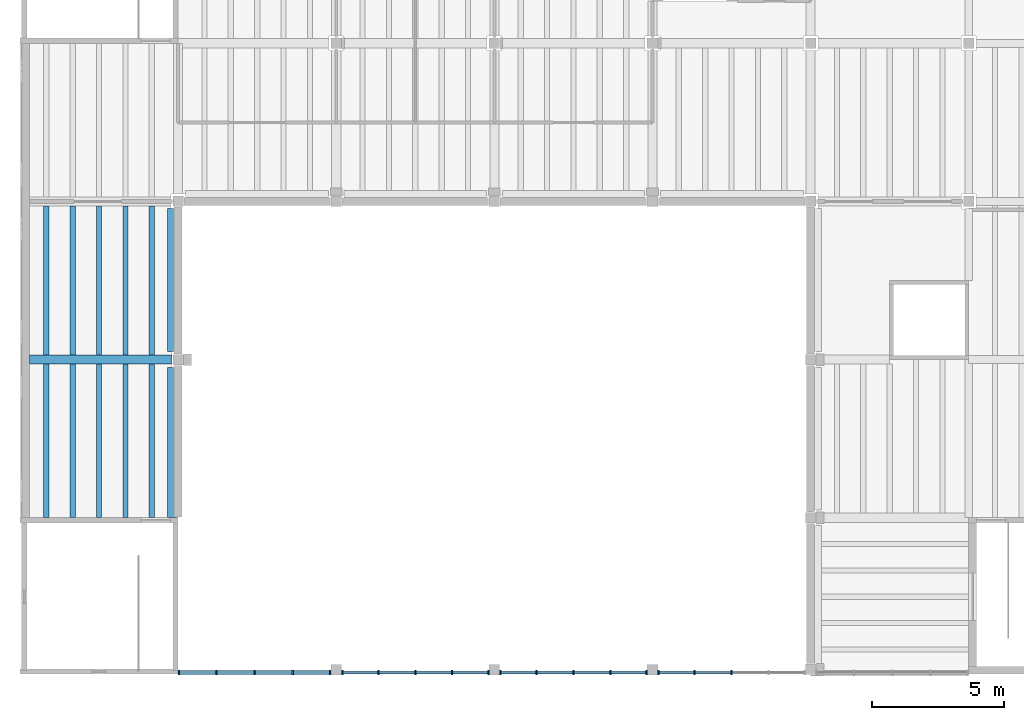
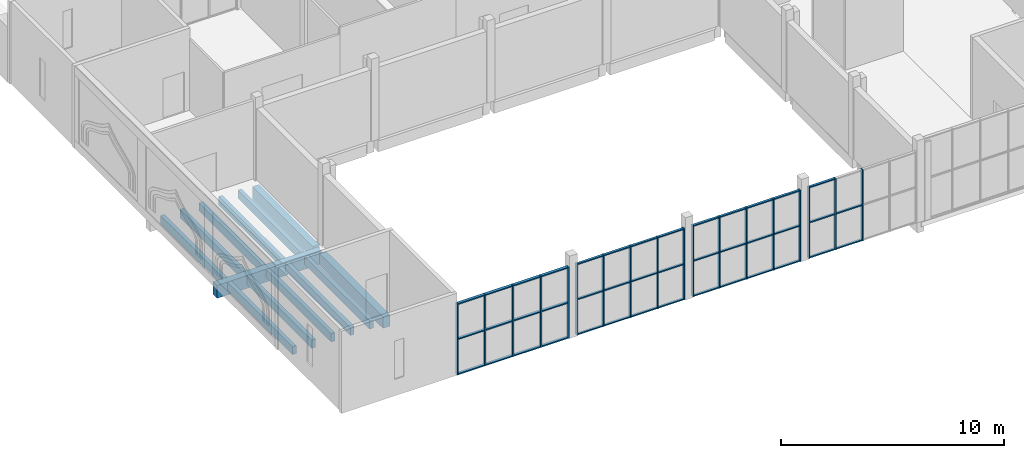
# One storey, part 2 of 70: 59 members, 13 beams, 4 elements without a shape of their own.
"""IFC4 building model written with IfcOpenShell, lengths in metres."""

from ifc_helpers import new_model, si_unit, direction, frame, origin, origin_2d, place, context, subcontext, project, spatial, rectangle, extrude, material, material_profile, profile_set, type_object, element, aggregate, save


model = new_model("IFC4")

# Units and contexts
model_context = context("Model", 3, precision=1e-05, world=origin(), true_north=direction((0.0, 1.0)))
body_context = subcontext(model_context, "Body", "Model", "MODEL_VIEW")
ifc_project = project(units=[si_unit("LENGTHUNIT", "METRE"), si_unit("AREAUNIT", "SQUARE_METRE"), si_unit("VOLUMEUNIT", "CUBIC_METRE"), si_unit("PLANEANGLEUNIT", "RADIAN"), si_unit("MASSUNIT", "GRAM", prefix="KILO")], contexts=[model_context])

# Site, building, storey
site_placement = place(None, origin())
site = spatial("IfcSite", under=ifc_project, at=site_placement, CompositionType="ELEMENT")
building_placement = place(site_placement, origin())
building = spatial("IfcBuilding", under=site, at=building_placement, Name="Saffron Lane Theatres", CompositionType="ELEMENT")
storey_placement = place(building_placement, frame((0.0, 0.0, 12.0)))
storey = spatial("IfcBuildingStorey", under=building, at=storey_placement, Name="L02", CompositionType="ELEMENT", Elevation=12.0)

# Curtain wall, members
ifc_material_1 = material(Name="Aluminium", Category="aluminium")
curtain_wall_type_1 = type_object("IfcCurtainWallType", Name="EX-CURTAIN WALL 5600x3900x160", PredefinedType="NOTDEFINED", material=ifc_material_1)
curtain_wall_1_placement = place(storey_placement, origin())
curtain_wall_1 = element("IfcCurtainWall", 1, at=curtain_wall_1_placement, inside=storey, type_object=curtain_wall_type_1, Name="Curtain wall L02 10", PredefinedType="NOTDEFINED")
ifc_material_2 = material(Name="Aluminium", Category="aluminium")
ifc_material_profile_1 = material_profile(ifc_material_2, rectangle(XDim=0.06005859375, YDim=0.159912109375, at=origin_2d()))
ifc_profile_set_1 = profile_set([ifc_material_profile_1], Name="Aluminium")
member_type_1 = type_object("IfcMemberType", Name="EX-CW MULLION 60x160", PredefinedType="MULLION", material=ifc_profile_set_1)
member_1_placement = place(storey_placement, frame((27.0, 0.1298828125, 0.0), z_axis=(0.0, 0.0, 1.0), x_axis=(-1.0, 0.0, 0.0)))
member_1 = element("IfcMember", 2, at=member_1_placement, type_object=member_type_1, Name="CW-02-10 mullion 3", PredefinedType="MULLION", context=body_context, shape_type="SweptSolid", body=[
    extrude(rectangle(XDim=0.06005859375, YDim=0.159912109375, at=origin_2d()), origin(), (0.0, 0.0, 1.0), 3.89990234375),
])
member_2_placement = place(storey_placement, frame((25.60009765625, 0.1298828125, 0.0), z_axis=(0.0, 0.0, 1.0), x_axis=(-1.0, 0.0, 0.0)))
member_2 = element("IfcMember", 3, at=member_2_placement, type_object=member_type_1, Name="CW-02-10 mullion 4", PredefinedType="MULLION", context=body_context, shape_type="SweptSolid", body=[
    extrude(rectangle(XDim=0.06005859375, YDim=0.159912109375, at=origin_2d()), origin(), (0.0, 0.0, 1.0), 3.89990234375),
])
member_3_placement = place(storey_placement, frame((24.22998046875, 0.1298828125, 0.0), z_axis=(0.0, 0.0, 1.0), x_axis=(-1.0, 0.0, 0.0)))
member_3 = element("IfcMember", 4, at=member_3_placement, type_object=member_type_1, Name="CW-02-10 mullion 5", PredefinedType="MULLION", context=body_context, shape_type="SweptSolid", body=[
    extrude(rectangle(XDim=0.06005859375, YDim=0.159912109375, at=origin_2d()), origin(), (0.0, 0.0, 1.0), 3.89990234375),
])

curtain_wall_2_placement = place(storey_placement, origin())
curtain_wall_2 = element("IfcCurtainWall", 5, at=curtain_wall_2_placement, inside=storey, type_object=curtain_wall_type_1, Name="Curtain wall L02 11", PredefinedType="NOTDEFINED")
member_4_placement = place(storey_placement, frame((23.77001953125, 0.1298828125, 0.0), z_axis=(0.0, 0.0, 1.0), x_axis=(-1.0, 0.0, 0.0)))
member_4 = element("IfcMember", 6, at=member_4_placement, type_object=member_type_1, Name="CW-02-11 mullion 1", PredefinedType="MULLION", context=body_context, shape_type="SweptSolid", body=[
    extrude(rectangle(XDim=0.06005859375, YDim=0.159912109375, at=origin_2d()), origin(), (0.0, 0.0, 1.0), 3.89990234375),
])
member_5_placement = place(storey_placement, frame((22.39990234375, 0.1298828125, 0.0), z_axis=(0.0, 0.0, 1.0), x_axis=(-1.0, 0.0, 0.0)))
member_5 = element("IfcMember", 7, at=member_5_placement, type_object=member_type_1, Name="CW-02-11 mullion 2", PredefinedType="MULLION", context=body_context, shape_type="SweptSolid", body=[
    extrude(rectangle(XDim=0.06005859375, YDim=0.159912109375, at=origin_2d()), origin(), (0.0, 0.0, 1.0), 3.89990234375),
])
member_6_placement = place(storey_placement, frame((21.0, 0.1298828125, 0.0), z_axis=(0.0, 0.0, 1.0), x_axis=(-1.0, 0.0, 0.0)))
member_6 = element("IfcMember", 8, at=member_6_placement, type_object=member_type_1, Name="CW-02-11 mullion 3", PredefinedType="MULLION", context=body_context, shape_type="SweptSolid", body=[
    extrude(rectangle(XDim=0.06005859375, YDim=0.159912109375, at=origin_2d()), origin(), (0.0, 0.0, 1.0), 3.89990234375),
])
member_7_placement = place(storey_placement, frame((19.60009765625, 0.1298828125, 0.0), z_axis=(0.0, 0.0, 1.0), x_axis=(-1.0, 0.0, 0.0)))
member_7 = element("IfcMember", 9, at=member_7_placement, type_object=member_type_1, Name="CW-02-11 mullion 4", PredefinedType="MULLION", context=body_context, shape_type="SweptSolid", body=[
    extrude(rectangle(XDim=0.06005859375, YDim=0.159912109375, at=origin_2d()), origin(), (0.0, 0.0, 1.0), 3.89990234375),
])
member_8_placement = place(storey_placement, frame((18.22998046875, 0.1298828125, 0.0), z_axis=(0.0, 0.0, 1.0), x_axis=(-1.0, 0.0, 0.0)))
member_8 = element("IfcMember", 10, at=member_8_placement, type_object=member_type_1, Name="CW-02-11 mullion 5", PredefinedType="MULLION", context=body_context, shape_type="SweptSolid", body=[
    extrude(rectangle(XDim=0.06005859375, YDim=0.159912109375, at=origin_2d()), origin(), (0.0, 0.0, 1.0), 3.89990234375),
])

curtain_wall_3_placement = place(storey_placement, origin())
curtain_wall_3 = element("IfcCurtainWall", 11, at=curtain_wall_3_placement, inside=storey, type_object=curtain_wall_type_1, Name="Curtain wall L02 12", PredefinedType="NOTDEFINED")
member_9_placement = place(storey_placement, frame((17.77001953125, 0.1298828125, 0.0), z_axis=(0.0, 0.0, 1.0), x_axis=(-1.0, 0.0, 0.0)))
member_9 = element("IfcMember", 12, at=member_9_placement, type_object=member_type_1, Name="CW-02-12 mullion 1", PredefinedType="MULLION", context=body_context, shape_type="SweptSolid", body=[
    extrude(rectangle(XDim=0.06005859375, YDim=0.159912109375, at=origin_2d()), origin(), (0.0, 0.0, 1.0), 3.89990234375),
])
member_10_placement = place(storey_placement, frame((16.39990234375, 0.1298828125, 0.0), z_axis=(0.0, 0.0, 1.0), x_axis=(-1.0, 0.0, 0.0)))
member_10 = element("IfcMember", 13, at=member_10_placement, type_object=member_type_1, Name="CW-02-12 mullion 2", PredefinedType="MULLION", context=body_context, shape_type="SweptSolid", body=[
    extrude(rectangle(XDim=0.06005859375, YDim=0.159912109375, at=origin_2d()), origin(), (0.0, 0.0, 1.0), 3.89990234375),
])
member_11_placement = place(storey_placement, frame((15.0, 0.1298828125, 0.0), z_axis=(0.0, 0.0, 1.0), x_axis=(-1.0, 0.0, 0.0)))
member_11 = element("IfcMember", 14, at=member_11_placement, type_object=member_type_1, Name="CW-02-12 mullion 3", PredefinedType="MULLION", context=body_context, shape_type="SweptSolid", body=[
    extrude(rectangle(XDim=0.06005859375, YDim=0.159912109375, at=origin_2d()), origin(), (0.0, 0.0, 1.0), 3.89990234375),
])
member_12_placement = place(storey_placement, frame((13.60009765625, 0.1298828125, 0.0), z_axis=(0.0, 0.0, 1.0), x_axis=(-1.0, 0.0, 0.0)))
member_12 = element("IfcMember", 15, at=member_12_placement, type_object=member_type_1, Name="CW-02-12 mullion 4", PredefinedType="MULLION", context=body_context, shape_type="SweptSolid", body=[
    extrude(rectangle(XDim=0.06005859375, YDim=0.159912109375, at=origin_2d()), origin(), (0.0, 0.0, 1.0), 3.89990234375),
])
member_13_placement = place(storey_placement, frame((12.22998046875, 0.1298828125, 0.0), z_axis=(0.0, 0.0, 1.0), x_axis=(-1.0, 0.0, 0.0)))
member_13 = element("IfcMember", 16, at=member_13_placement, type_object=member_type_1, Name="CW-02-12 mullion 5", PredefinedType="MULLION", context=body_context, shape_type="SweptSolid", body=[
    extrude(rectangle(XDim=0.06005859375, YDim=0.159912109375, at=origin_2d()), origin(), (0.0, 0.0, 1.0), 3.89990234375),
])

ifc_material_3 = material(Name="Aluminium", Category="aluminium")
curtain_wall_type_2 = type_object("IfcCurtainWallType", Name="EX-CURTAIN WALL 5800x3900x160", PredefinedType="NOTDEFINED", material=ifc_material_3)
curtain_wall_4_placement = place(storey_placement, origin())
curtain_wall_4 = element("IfcCurtainWall", 17, at=curtain_wall_4_placement, inside=storey, type_object=curtain_wall_type_2, Name="Curtain wall L02 13", PredefinedType="NOTDEFINED")
member_14_placement = place(storey_placement, frame((11.77001953125, 0.1298828125, 0.0), z_axis=(0.0, 0.0, 1.0), x_axis=(-1.0, 0.0, 0.0)))
member_14 = element("IfcMember", 18, at=member_14_placement, type_object=member_type_1, Name="CW-02-13 mullion 1", PredefinedType="MULLION", context=body_context, shape_type="SweptSolid", body=[
    extrude(rectangle(XDim=0.06005859375, YDim=0.159912109375, at=origin_2d()), origin(), (0.0, 0.0, 1.0), 3.89990234375),
])
member_15_placement = place(storey_placement, frame((10.35009765625, 0.1298828125, 0.0), z_axis=(0.0, 0.0, 1.0), x_axis=(-1.0, 0.0, 0.0)))
member_15 = element("IfcMember", 19, at=member_15_placement, type_object=member_type_1, Name="CW-02-13 mullion 2", PredefinedType="MULLION", context=body_context, shape_type="SweptSolid", body=[
    extrude(rectangle(XDim=0.06005859375, YDim=0.159912109375, at=origin_2d()), origin(), (0.0, 0.0, 1.0), 3.89990234375),
])
member_16_placement = place(storey_placement, frame((8.89990234375, 0.1298828125, 0.0), z_axis=(0.0, 0.0, 1.0), x_axis=(-1.0, 0.0, 0.0)))
member_16 = element("IfcMember", 20, at=member_16_placement, type_object=member_type_1, Name="CW-02-13 mullion 3", PredefinedType="MULLION", context=body_context, shape_type="SweptSolid", body=[
    extrude(rectangle(XDim=0.06005859375, YDim=0.159912109375, at=origin_2d()), origin(), (0.0, 0.0, 1.0), 3.89990234375),
])
member_17_placement = place(storey_placement, frame((7.449951171875, 0.1298828125, 0.0), z_axis=(0.0, 0.0, 1.0), x_axis=(-1.0, 0.0, 0.0)))
member_17 = element("IfcMember", 21, at=member_17_placement, type_object=member_type_1, Name="CW-02-13 mullion 4", PredefinedType="MULLION", context=body_context, shape_type="SweptSolid", body=[
    extrude(rectangle(XDim=0.06005859375, YDim=0.159912109375, at=origin_2d()), origin(), (0.0, 0.0, 1.0), 3.89990234375),
])
member_18_placement = place(storey_placement, frame((6.030029296875, 0.1298828125, 0.0), z_axis=(0.0, 0.0, 1.0), x_axis=(-1.0, 0.0, 0.0)))
member_18 = element("IfcMember", 22, at=member_18_placement, type_object=member_type_1, Name="CW-02-13 mullion 5", PredefinedType="MULLION", context=body_context, shape_type="SweptSolid", body=[
    extrude(rectangle(XDim=0.06005859375, YDim=0.159912109375, at=origin_2d()), origin(), (0.0, 0.0, 1.0), 3.89990234375),
])

# Member
ifc_material_4 = material(Name="Aluminium", Category="aluminium")
ifc_material_profile_2 = material_profile(ifc_material_4, rectangle(XDim=0.1201171875, YDim=0.06005859375, at=origin_2d()))
ifc_profile_set_2 = profile_set([ifc_material_profile_2], Name="Aluminium")
member_type_2 = type_object("IfcMemberType", Name="EX-CW TRANSOM 120x60", PredefinedType="USERDEFINED", material=ifc_profile_set_2)
member_19_placement = place(storey_placement, frame((26.969970703125, 0.1298828125, 0.030029296875), z_axis=(-1.0, 0.0, 0.0), x_axis=(0.0, -1.0, 0.0)))
member_19 = element("IfcMember", 23, at=member_19_placement, type_object=member_type_2, Name="CW-02-10 transom 3.1", ObjectType="TRANSOM", PredefinedType="USERDEFINED", context=body_context, shape_type="SweptSolid", body=[
    extrude(rectangle(XDim=0.1201171875, YDim=0.06005859375, at=origin_2d()), origin(), (0.0, 0.0, 1.0), 1.340087890625),
])

member_20_placement = place(storey_placement, frame((26.969970703125, 0.1298828125, 1.949951171875), z_axis=(-1.0, 0.0, 0.0), x_axis=(0.0, -1.0, 0.0)))
member_20 = element("IfcMember", 24, at=member_20_placement, type_object=member_type_2, Name="CW-02-10 transom 3.2", ObjectType="TRANSOM", PredefinedType="USERDEFINED", context=body_context, shape_type="SweptSolid", body=[
    extrude(rectangle(XDim=0.1201171875, YDim=0.06005859375, at=origin_2d()), origin(), (0.0, 0.0, 1.0), 1.340087890625),
])

member_21_placement = place(storey_placement, frame((25.570068359375, 0.1298828125, 0.030029296875), z_axis=(-1.0, 0.0, 0.0), x_axis=(0.0, -1.0, 0.0)))
member_21 = element("IfcMember", 25, at=member_21_placement, type_object=member_type_2, Name="CW-02-10 transom 4.1", ObjectType="TRANSOM", PredefinedType="USERDEFINED", context=body_context, shape_type="SweptSolid", body=[
    extrude(rectangle(XDim=0.1201171875, YDim=0.06005859375, at=origin_2d()), origin(), (0.0, 0.0, 1.0), 1.31005859375),
])

member_22_placement = place(storey_placement, frame((25.570068359375, 0.1298828125, 1.949951171875), z_axis=(-1.0, 0.0, 0.0), x_axis=(0.0, -1.0, 0.0)))
member_22 = element("IfcMember", 26, at=member_22_placement, type_object=member_type_2, Name="CW-02-10 transom 4.2", ObjectType="TRANSOM", PredefinedType="USERDEFINED", context=body_context, shape_type="SweptSolid", body=[
    extrude(rectangle(XDim=0.1201171875, YDim=0.06005859375, at=origin_2d()), origin(), (0.0, 0.0, 1.0), 1.31005859375),
])

member_23_placement = place(storey_placement, frame((25.570068359375, 0.1298828125, 3.869873046875), z_axis=(-1.0, 0.0, 0.0), x_axis=(0.0, -1.0, 0.0)))
member_23 = element("IfcMember", 27, at=member_23_placement, type_object=member_type_2, Name="CW-02-10 transom 4.3", ObjectType="TRANSOM", PredefinedType="USERDEFINED", context=body_context, shape_type="SweptSolid", body=[
    extrude(rectangle(XDim=0.1201171875, YDim=0.06005859375, at=origin_2d()), origin(), (0.0, 0.0, 1.0), 1.31005859375),
])

aggregate(curtain_wall_1, [member_1, member_2, member_3, member_19, member_20, member_21, member_22, member_23])

member_24_placement = place(storey_placement, frame((23.739990234375, 0.1298828125, 0.030029296875), z_axis=(-1.0, 0.0, 0.0), x_axis=(0.0, -1.0, 0.0)))
member_24 = element("IfcMember", 28, at=member_24_placement, type_object=member_type_2, Name="CW-02-11 transom 1.1", ObjectType="TRANSOM", PredefinedType="USERDEFINED", context=body_context, shape_type="SweptSolid", body=[
    extrude(rectangle(XDim=0.1201171875, YDim=0.06005859375, at=origin_2d()), origin(), (0.0, 0.0, 1.0), 1.31005859375),
])

member_25_placement = place(storey_placement, frame((23.739990234375, 0.1298828125, 1.949951171875), z_axis=(-1.0, 0.0, 0.0), x_axis=(0.0, -1.0, 0.0)))
member_25 = element("IfcMember", 29, at=member_25_placement, type_object=member_type_2, Name="CW-02-11 transom 1.2", ObjectType="TRANSOM", PredefinedType="USERDEFINED", context=body_context, shape_type="SweptSolid", body=[
    extrude(rectangle(XDim=0.1201171875, YDim=0.06005859375, at=origin_2d()), origin(), (0.0, 0.0, 1.0), 1.31005859375),
])

member_26_placement = place(storey_placement, frame((23.739990234375, 0.1298828125, 3.869873046875), z_axis=(-1.0, 0.0, 0.0), x_axis=(0.0, -1.0, 0.0)))
member_26 = element("IfcMember", 30, at=member_26_placement, type_object=member_type_2, Name="CW-02-11 transom 1.3", ObjectType="TRANSOM", PredefinedType="USERDEFINED", context=body_context, shape_type="SweptSolid", body=[
    extrude(rectangle(XDim=0.1201171875, YDim=0.06005859375, at=origin_2d()), origin(), (0.0, 0.0, 1.0), 1.31005859375),
])

member_27_placement = place(storey_placement, frame((22.3701171875, 0.1298828125, 0.030029296875), z_axis=(-1.0, 0.0, 0.0), x_axis=(0.0, -1.0, 0.0)))
member_27 = element("IfcMember", 31, at=member_27_placement, type_object=member_type_2, Name="CW-02-11 transom 2.1", ObjectType="TRANSOM", PredefinedType="USERDEFINED", context=body_context, shape_type="SweptSolid", body=[
    extrude(rectangle(XDim=0.1201171875, YDim=0.06005859375, at=origin_2d()), origin(), (0.0, 0.0, 1.0), 1.340087890625),
])

member_28_placement = place(storey_placement, frame((22.3701171875, 0.1298828125, 1.949951171875), z_axis=(-1.0, 0.0, 0.0), x_axis=(0.0, -1.0, 0.0)))
member_28 = element("IfcMember", 32, at=member_28_placement, type_object=member_type_2, Name="CW-02-11 transom 2.2", ObjectType="TRANSOM", PredefinedType="USERDEFINED", context=body_context, shape_type="SweptSolid", body=[
    extrude(rectangle(XDim=0.1201171875, YDim=0.06005859375, at=origin_2d()), origin(), (0.0, 0.0, 1.0), 1.340087890625),
])

member_29_placement = place(storey_placement, frame((22.3701171875, 0.1298828125, 3.869873046875), z_axis=(-1.0, 0.0, 0.0), x_axis=(0.0, -1.0, 0.0)))
member_29 = element("IfcMember", 33, at=member_29_placement, type_object=member_type_2, Name="CW-02-11 transom 2.3", ObjectType="TRANSOM", PredefinedType="USERDEFINED", context=body_context, shape_type="SweptSolid", body=[
    extrude(rectangle(XDim=0.1201171875, YDim=0.06005859375, at=origin_2d()), origin(), (0.0, 0.0, 1.0), 1.340087890625),
])

member_30_placement = place(storey_placement, frame((20.969970703125, 0.1298828125, 0.030029296875), z_axis=(-1.0, 0.0, 0.0), x_axis=(0.0, -1.0, 0.0)))
member_30 = element("IfcMember", 34, at=member_30_placement, type_object=member_type_2, Name="CW-02-11 transom 3.1", ObjectType="TRANSOM", PredefinedType="USERDEFINED", context=body_context, shape_type="SweptSolid", body=[
    extrude(rectangle(XDim=0.1201171875, YDim=0.06005859375, at=origin_2d()), origin(), (0.0, 0.0, 1.0), 1.340087890625),
])

member_31_placement = place(storey_placement, frame((20.969970703125, 0.1298828125, 1.949951171875), z_axis=(-1.0, 0.0, 0.0), x_axis=(0.0, -1.0, 0.0)))
member_31 = element("IfcMember", 35, at=member_31_placement, type_object=member_type_2, Name="CW-02-11 transom 3.2", ObjectType="TRANSOM", PredefinedType="USERDEFINED", context=body_context, shape_type="SweptSolid", body=[
    extrude(rectangle(XDim=0.1201171875, YDim=0.06005859375, at=origin_2d()), origin(), (0.0, 0.0, 1.0), 1.340087890625),
])

member_32_placement = place(storey_placement, frame((20.969970703125, 0.1298828125, 3.869873046875), z_axis=(-1.0, 0.0, 0.0), x_axis=(0.0, -1.0, 0.0)))
member_32 = element("IfcMember", 36, at=member_32_placement, type_object=member_type_2, Name="CW-02-11 transom 3.3", ObjectType="TRANSOM", PredefinedType="USERDEFINED", context=body_context, shape_type="SweptSolid", body=[
    extrude(rectangle(XDim=0.1201171875, YDim=0.06005859375, at=origin_2d()), origin(), (0.0, 0.0, 1.0), 1.340087890625),
])

member_33_placement = place(storey_placement, frame((19.570068359375, 0.1298828125, 0.030029296875), z_axis=(-1.0, 0.0, 0.0), x_axis=(0.0, -1.0, 0.0)))
member_33 = element("IfcMember", 37, at=member_33_placement, type_object=member_type_2, Name="CW-02-11 transom 4.1", ObjectType="TRANSOM", PredefinedType="USERDEFINED", context=body_context, shape_type="SweptSolid", body=[
    extrude(rectangle(XDim=0.1201171875, YDim=0.06005859375, at=origin_2d()), origin(), (0.0, 0.0, 1.0), 1.31005859375),
])

member_34_placement = place(storey_placement, frame((19.570068359375, 0.1298828125, 1.949951171875), z_axis=(-1.0, 0.0, 0.0), x_axis=(0.0, -1.0, 0.0)))
member_34 = element("IfcMember", 38, at=member_34_placement, type_object=member_type_2, Name="CW-02-11 transom 4.2", ObjectType="TRANSOM", PredefinedType="USERDEFINED", context=body_context, shape_type="SweptSolid", body=[
    extrude(rectangle(XDim=0.1201171875, YDim=0.06005859375, at=origin_2d()), origin(), (0.0, 0.0, 1.0), 1.31005859375),
])

member_35_placement = place(storey_placement, frame((19.570068359375, 0.1298828125, 3.869873046875), z_axis=(-1.0, 0.0, 0.0), x_axis=(0.0, -1.0, 0.0)))
member_35 = element("IfcMember", 39, at=member_35_placement, type_object=member_type_2, Name="CW-02-11 transom 4.3", ObjectType="TRANSOM", PredefinedType="USERDEFINED", context=body_context, shape_type="SweptSolid", body=[
    extrude(rectangle(XDim=0.1201171875, YDim=0.06005859375, at=origin_2d()), origin(), (0.0, 0.0, 1.0), 1.31005859375),
])

aggregate(curtain_wall_2, [member_4, member_5, member_6, member_7, member_8, member_24, member_25, member_26, member_27, member_28, member_29, member_30, member_31, member_32, member_33, member_34, member_35])

member_36_placement = place(storey_placement, frame((17.739990234375, 0.1298828125, 0.030029296875), z_axis=(-1.0, 0.0, 0.0), x_axis=(0.0, -1.0, 0.0)))
member_36 = element("IfcMember", 40, at=member_36_placement, type_object=member_type_2, Name="CW-02-12 transom 1.1", ObjectType="TRANSOM", PredefinedType="USERDEFINED", context=body_context, shape_type="SweptSolid", body=[
    extrude(rectangle(XDim=0.1201171875, YDim=0.06005859375, at=origin_2d()), origin(), (0.0, 0.0, 1.0), 1.31005859375),
])

member_37_placement = place(storey_placement, frame((17.739990234375, 0.1298828125, 1.949951171875), z_axis=(-1.0, 0.0, 0.0), x_axis=(0.0, -1.0, 0.0)))
member_37 = element("IfcMember", 41, at=member_37_placement, type_object=member_type_2, Name="CW-02-12 transom 1.2", ObjectType="TRANSOM", PredefinedType="USERDEFINED", context=body_context, shape_type="SweptSolid", body=[
    extrude(rectangle(XDim=0.1201171875, YDim=0.06005859375, at=origin_2d()), origin(), (0.0, 0.0, 1.0), 1.31005859375),
])

member_38_placement = place(storey_placement, frame((17.739990234375, 0.1298828125, 3.869873046875), z_axis=(-1.0, 0.0, 0.0), x_axis=(0.0, -1.0, 0.0)))
member_38 = element("IfcMember", 42, at=member_38_placement, type_object=member_type_2, Name="CW-02-12 transom 1.3", ObjectType="TRANSOM", PredefinedType="USERDEFINED", context=body_context, shape_type="SweptSolid", body=[
    extrude(rectangle(XDim=0.1201171875, YDim=0.06005859375, at=origin_2d()), origin(), (0.0, 0.0, 1.0), 1.31005859375),
])

member_39_placement = place(storey_placement, frame((16.3701171875, 0.1298828125, 0.030029296875), z_axis=(-1.0, 0.0, 0.0), x_axis=(0.0, -1.0, 0.0)))
member_39 = element("IfcMember", 43, at=member_39_placement, type_object=member_type_2, Name="CW-02-12 transom 2.1", ObjectType="TRANSOM", PredefinedType="USERDEFINED", context=body_context, shape_type="SweptSolid", body=[
    extrude(rectangle(XDim=0.1201171875, YDim=0.06005859375, at=origin_2d()), origin(), (0.0, 0.0, 1.0), 1.340087890625),
])

member_40_placement = place(storey_placement, frame((16.3701171875, 0.1298828125, 1.949951171875), z_axis=(-1.0, 0.0, 0.0), x_axis=(0.0, -1.0, 0.0)))
member_40 = element("IfcMember", 44, at=member_40_placement, type_object=member_type_2, Name="CW-02-12 transom 2.2", ObjectType="TRANSOM", PredefinedType="USERDEFINED", context=body_context, shape_type="SweptSolid", body=[
    extrude(rectangle(XDim=0.1201171875, YDim=0.06005859375, at=origin_2d()), origin(), (0.0, 0.0, 1.0), 1.340087890625),
])

member_41_placement = place(storey_placement, frame((16.3701171875, 0.1298828125, 3.869873046875), z_axis=(-1.0, 0.0, 0.0), x_axis=(0.0, -1.0, 0.0)))
member_41 = element("IfcMember", 45, at=member_41_placement, type_object=member_type_2, Name="CW-02-12 transom 2.3", ObjectType="TRANSOM", PredefinedType="USERDEFINED", context=body_context, shape_type="SweptSolid", body=[
    extrude(rectangle(XDim=0.1201171875, YDim=0.06005859375, at=origin_2d()), origin(), (0.0, 0.0, 1.0), 1.340087890625),
])

member_42_placement = place(storey_placement, frame((14.969970703125, 0.1298828125, 0.030029296875), z_axis=(-1.0, 0.0, 0.0), x_axis=(0.0, -1.0, 0.0)))
member_42 = element("IfcMember", 46, at=member_42_placement, type_object=member_type_2, Name="CW-02-12 transom 3.1", ObjectType="TRANSOM", PredefinedType="USERDEFINED", context=body_context, shape_type="SweptSolid", body=[
    extrude(rectangle(XDim=0.1201171875, YDim=0.06005859375, at=origin_2d()), origin(), (0.0, 0.0, 1.0), 1.340087890625),
])

member_43_placement = place(storey_placement, frame((14.969970703125, 0.1298828125, 1.949951171875), z_axis=(-1.0, 0.0, 0.0), x_axis=(0.0, -1.0, 0.0)))
member_43 = element("IfcMember", 47, at=member_43_placement, type_object=member_type_2, Name="CW-02-12 transom 3.2", ObjectType="TRANSOM", PredefinedType="USERDEFINED", context=body_context, shape_type="SweptSolid", body=[
    extrude(rectangle(XDim=0.1201171875, YDim=0.06005859375, at=origin_2d()), origin(), (0.0, 0.0, 1.0), 1.340087890625),
])

member_44_placement = place(storey_placement, frame((14.969970703125, 0.1298828125, 3.869873046875), z_axis=(-1.0, 0.0, 0.0), x_axis=(0.0, -1.0, 0.0)))
member_44 = element("IfcMember", 48, at=member_44_placement, type_object=member_type_2, Name="CW-02-12 transom 3.3", ObjectType="TRANSOM", PredefinedType="USERDEFINED", context=body_context, shape_type="SweptSolid", body=[
    extrude(rectangle(XDim=0.1201171875, YDim=0.06005859375, at=origin_2d()), origin(), (0.0, 0.0, 1.0), 1.340087890625),
])

member_45_placement = place(storey_placement, frame((13.570068359375, 0.1298828125, 0.030029296875), z_axis=(-1.0, 0.0, 0.0), x_axis=(0.0, -1.0, 0.0)))
member_45 = element("IfcMember", 49, at=member_45_placement, type_object=member_type_2, Name="CW-02-12 transom 4.1", ObjectType="TRANSOM", PredefinedType="USERDEFINED", context=body_context, shape_type="SweptSolid", body=[
    extrude(rectangle(XDim=0.1201171875, YDim=0.06005859375, at=origin_2d()), origin(), (0.0, 0.0, 1.0), 1.31005859375),
])

member_46_placement = place(storey_placement, frame((13.570068359375, 0.1298828125, 1.949951171875), z_axis=(-1.0, 0.0, 0.0), x_axis=(0.0, -1.0, 0.0)))
member_46 = element("IfcMember", 50, at=member_46_placement, type_object=member_type_2, Name="CW-02-12 transom 4.2", ObjectType="TRANSOM", PredefinedType="USERDEFINED", context=body_context, shape_type="SweptSolid", body=[
    extrude(rectangle(XDim=0.1201171875, YDim=0.06005859375, at=origin_2d()), origin(), (0.0, 0.0, 1.0), 1.31005859375),
])

member_47_placement = place(storey_placement, frame((13.570068359375, 0.1298828125, 3.869873046875), z_axis=(-1.0, 0.0, 0.0), x_axis=(0.0, -1.0, 0.0)))
member_47 = element("IfcMember", 51, at=member_47_placement, type_object=member_type_2, Name="CW-02-12 transom 4.3", ObjectType="TRANSOM", PredefinedType="USERDEFINED", context=body_context, shape_type="SweptSolid", body=[
    extrude(rectangle(XDim=0.1201171875, YDim=0.06005859375, at=origin_2d()), origin(), (0.0, 0.0, 1.0), 1.31005859375),
])

aggregate(curtain_wall_3, [member_9, member_10, member_11, member_12, member_13, member_36, member_37, member_38, member_39, member_40, member_41, member_42, member_43, member_44, member_45, member_46, member_47])

ifc_material_5 = material(Name="Aluminium", Category="aluminium")
ifc_material_profile_3 = material_profile(ifc_material_5, rectangle(XDim=0.14990234375, YDim=0.06005859375, at=origin_2d()))
ifc_profile_set_3 = profile_set([ifc_material_profile_3], Name="Aluminium")
member_type_3 = type_object("IfcMemberType", Name="EX-CW TRANSOM 150x60", PredefinedType="USERDEFINED", material=ifc_profile_set_3)
member_48_placement = place(storey_placement, frame((11.739990234375, 0.1298828125, 0.030029296875), z_axis=(-1.0, 0.0, 0.0), x_axis=(0.0, -1.0, 0.0)))
member_48 = element("IfcMember", 52, at=member_48_placement, type_object=member_type_3, Name="CW-02-13 transom 1.1", ObjectType="TRANSOM", PredefinedType="USERDEFINED", context=body_context, shape_type="SweptSolid", body=[
    extrude(rectangle(XDim=0.14990234375, YDim=0.06005859375, at=origin_2d()), origin(), (0.0, 0.0, 1.0), 1.35986328125),
])

member_49_placement = place(storey_placement, frame((11.739990234375, 0.1298828125, 1.949951171875), z_axis=(-1.0, 0.0, 0.0), x_axis=(0.0, -1.0, 0.0)))
member_49 = element("IfcMember", 53, at=member_49_placement, type_object=member_type_3, Name="CW-02-13 transom 1.2", ObjectType="TRANSOM", PredefinedType="USERDEFINED", context=body_context, shape_type="SweptSolid", body=[
    extrude(rectangle(XDim=0.14990234375, YDim=0.06005859375, at=origin_2d()), origin(), (0.0, 0.0, 1.0), 1.35986328125),
])

member_50_placement = place(storey_placement, frame((11.739990234375, 0.1298828125, 3.869873046875), z_axis=(-1.0, 0.0, 0.0), x_axis=(0.0, -1.0, 0.0)))
member_50 = element("IfcMember", 54, at=member_50_placement, type_object=member_type_3, Name="CW-02-13 transom 1.3", ObjectType="TRANSOM", PredefinedType="USERDEFINED", context=body_context, shape_type="SweptSolid", body=[
    extrude(rectangle(XDim=0.14990234375, YDim=0.06005859375, at=origin_2d()), origin(), (0.0, 0.0, 1.0), 1.35986328125),
])

member_51_placement = place(storey_placement, frame((10.320068359375, 0.1298828125, 0.030029296875), z_axis=(-1.0, 0.0, 0.0), x_axis=(0.0, -1.0, 0.0)))
member_51 = element("IfcMember", 55, at=member_51_placement, type_object=member_type_3, Name="CW-02-13 transom 2.1", ObjectType="TRANSOM", PredefinedType="USERDEFINED", context=body_context, shape_type="SweptSolid", body=[
    extrude(rectangle(XDim=0.14990234375, YDim=0.06005859375, at=origin_2d()), origin(), (0.0, 0.0, 1.0), 1.39013671875),
])

member_52_placement = place(storey_placement, frame((10.320068359375, 0.1298828125, 1.949951171875), z_axis=(-1.0, 0.0, 0.0), x_axis=(0.0, -1.0, 0.0)))
member_52 = element("IfcMember", 56, at=member_52_placement, type_object=member_type_3, Name="CW-02-13 transom 2.2", ObjectType="TRANSOM", PredefinedType="USERDEFINED", context=body_context, shape_type="SweptSolid", body=[
    extrude(rectangle(XDim=0.14990234375, YDim=0.06005859375, at=origin_2d()), origin(), (0.0, 0.0, 1.0), 1.39013671875),
])

member_53_placement = place(storey_placement, frame((10.320068359375, 0.1298828125, 3.869873046875), z_axis=(-1.0, 0.0, 0.0), x_axis=(0.0, -1.0, 0.0)))
member_53 = element("IfcMember", 57, at=member_53_placement, type_object=member_type_3, Name="CW-02-13 transom 2.3", ObjectType="TRANSOM", PredefinedType="USERDEFINED", context=body_context, shape_type="SweptSolid", body=[
    extrude(rectangle(XDim=0.14990234375, YDim=0.06005859375, at=origin_2d()), origin(), (0.0, 0.0, 1.0), 1.39013671875),
])

member_54_placement = place(storey_placement, frame((8.8701171875, 0.1298828125, 0.030029296875), z_axis=(-1.0, 0.0, 0.0), x_axis=(0.0, -1.0, 0.0)))
member_54 = element("IfcMember", 58, at=member_54_placement, type_object=member_type_3, Name="CW-02-13 transom 3.1", ObjectType="TRANSOM", PredefinedType="USERDEFINED", context=body_context, shape_type="SweptSolid", body=[
    extrude(rectangle(XDim=0.14990234375, YDim=0.06005859375, at=origin_2d()), origin(), (0.0, 0.0, 1.0), 1.39013671875),
])

member_55_placement = place(storey_placement, frame((8.8701171875, 0.1298828125, 1.949951171875), z_axis=(-1.0, 0.0, 0.0), x_axis=(0.0, -1.0, 0.0)))
member_55 = element("IfcMember", 59, at=member_55_placement, type_object=member_type_3, Name="CW-02-13 transom 3.2", ObjectType="TRANSOM", PredefinedType="USERDEFINED", context=body_context, shape_type="SweptSolid", body=[
    extrude(rectangle(XDim=0.14990234375, YDim=0.06005859375, at=origin_2d()), origin(), (0.0, 0.0, 1.0), 1.39013671875),
])

member_56_placement = place(storey_placement, frame((8.8701171875, 0.1298828125, 3.869873046875), z_axis=(-1.0, 0.0, 0.0), x_axis=(0.0, -1.0, 0.0)))
member_56 = element("IfcMember", 60, at=member_56_placement, type_object=member_type_3, Name="CW-02-13 transom 3.3", ObjectType="TRANSOM", PredefinedType="USERDEFINED", context=body_context, shape_type="SweptSolid", body=[
    extrude(rectangle(XDim=0.14990234375, YDim=0.06005859375, at=origin_2d()), origin(), (0.0, 0.0, 1.0), 1.39013671875),
])

member_57_placement = place(storey_placement, frame((7.419921875, 0.1298828125, 0.030029296875), z_axis=(-1.0, 0.0, 0.0), x_axis=(0.0, -1.0, 0.0)))
member_57 = element("IfcMember", 61, at=member_57_placement, type_object=member_type_3, Name="CW-02-13 transom 4.1", ObjectType="TRANSOM", PredefinedType="USERDEFINED", context=body_context, shape_type="SweptSolid", body=[
    extrude(rectangle(XDim=0.14990234375, YDim=0.06005859375, at=origin_2d()), origin(), (0.0, 0.0, 1.0), 1.35986328125),
])

member_58_placement = place(storey_placement, frame((7.419921875, 0.1298828125, 1.949951171875), z_axis=(-1.0, 0.0, 0.0), x_axis=(0.0, -1.0, 0.0)))
member_58 = element("IfcMember", 62, at=member_58_placement, type_object=member_type_3, Name="CW-02-13 transom 4.2", ObjectType="TRANSOM", PredefinedType="USERDEFINED", context=body_context, shape_type="SweptSolid", body=[
    extrude(rectangle(XDim=0.14990234375, YDim=0.06005859375, at=origin_2d()), origin(), (0.0, 0.0, 1.0), 1.35986328125),
])

member_59_placement = place(storey_placement, frame((7.419921875, 0.1298828125, 3.869873046875), z_axis=(-1.0, 0.0, 0.0), x_axis=(0.0, -1.0, 0.0)))
member_59 = element("IfcMember", 63, at=member_59_placement, type_object=member_type_3, Name="CW-02-13 transom 4.3", ObjectType="TRANSOM", PredefinedType="USERDEFINED", context=body_context, shape_type="SweptSolid", body=[
    extrude(rectangle(XDim=0.14990234375, YDim=0.06005859375, at=origin_2d()), origin(), (0.0, 0.0, 1.0), 1.35986328125),
])

aggregate(curtain_wall_4, [member_14, member_15, member_16, member_17, member_18, member_48, member_49, member_50, member_51, member_52, member_53, member_54, member_55, member_56, member_57, member_58, member_59])

# Beams
ifc_material_6 = material(Name="Concrete N40 (40 MPa)", Category="concrete")
ifc_material_profile_4 = material_profile(ifc_material_6, rectangle(XDim=0.35009765625, YDim=0.64990234375, at=origin_2d()))
ifc_profile_set_4 = profile_set([ifc_material_profile_4], Name="Concrete N40 (40 MPa)")
beam_type_1 = type_object("IfcBeamType", Name="RC-BEAM 350x650", PredefinedType="BEAM", material=ifc_profile_set_4)
beam_1_placement = place(storey_placement, frame((5.764892578125, 6.0, -0.574951171875), z_axis=(0.0, 1.0, 0.0), x_axis=(-1.0, 0.0, 0.0)))
element("IfcBeam", 64, at=beam_1_placement, inside=storey, type_object=beam_type_1, Name="beam-L02-y60-60", PredefinedType="BEAM", context=body_context, shape_type="SweptSolid", body=[
    extrude(rectangle(XDim=0.35009765625, YDim=0.64990234375, at=origin_2d()), origin(), (0.0, 0.0, 1.0), 5.699951171875),
])
beam_2_placement = place(storey_placement, frame((5.764892578125, 12.300048828125, -0.574951171875), z_axis=(0.0, 1.0, 0.0), x_axis=(-1.0, 0.0, 0.0)))
element("IfcBeam", 65, at=beam_2_placement, inside=storey, type_object=beam_type_1, Name="beam-L02-y60-123", PredefinedType="BEAM", context=body_context, shape_type="SweptSolid", body=[
    extrude(rectangle(XDim=0.35009765625, YDim=0.64990234375, at=origin_2d()), origin(), (0.0, 0.0, 1.0), 5.425048828125),
])
ifc_material_7 = material(Name="Concrete N40 (40 MPa)", Category="concrete")
ifc_material_profile_5 = material_profile(ifc_material_7, rectangle(XDim=0.35009765625, YDim=0.699951171875, at=origin_2d()))
ifc_profile_set_5 = profile_set([ifc_material_profile_5], Name="Concrete N40 (40 MPa)")
beam_type_2 = type_object("IfcBeamType", Name="RC-BEAM 350x700", PredefinedType="BEAM", material=ifc_profile_set_5)
beam_3_placement = place(storey_placement, frame((0.360107421875, 12.0, -0.60009765625), z_axis=(1.0, 0.0, 0.0), x_axis=(0.0, 1.0, 0.0)))
element("IfcBeam", 66, at=beam_3_placement, inside=storey, type_object=beam_type_2, Name="beam-L02-x120-4", PredefinedType="BEAM", context=body_context, shape_type="SweptSolid", body=[
    extrude(rectangle(XDim=0.35009765625, YDim=0.699951171875, at=origin_2d()), origin(), (0.0, 0.0, 1.0), 5.414794921875),
])
ifc_material_8 = material(Name="Concrete N40 (40 MPa)", Category="concrete")
ifc_material_profile_6 = material_profile(ifc_material_8, rectangle(XDim=0.199951171875, YDim=0.449951171875, at=origin_2d()))
ifc_profile_set_6 = profile_set([ifc_material_profile_6], Name="Concrete N40 (40 MPa)")
beam_type_3 = type_object("IfcBeamType", Name="RC-JOIST 200x450", PredefinedType="JOIST", material=ifc_profile_set_6)
for number, where, z_axis, x_axis, name in (
    (67, (1.0, 6.0, -0.47509765625), (0.0, 1.0, 0.0), (-1.0, 0.0, 0.0), "joist-L02-y100-60"),
    (68, (2.0, 6.0, -0.47509765625), (0.0, 1.0, 0.0), (-1.0, 0.0, 0.0), "joist-L02-y200-60"),
    (69, (3.0, 6.0, -0.47509765625), (0.0, 1.0, 0.0), (-1.0, 0.0, 0.0), "joist-L02-y300-60"),
    (70, (4.0, 6.0, -0.47509765625), (0.0, 1.0, 0.0), (-1.0, 0.0, 0.0), "joist-L02-y400-60"),
    (71, (5.0, 6.0, -0.47509765625), (0.0, 1.0, 0.0), (-1.0, 0.0, 0.0), "joist-L02-y500-60"),
):
    element("IfcBeam", number, at=place(storey_placement, frame(where, z_axis=z_axis, x_axis=x_axis)), inside=storey, type_object=beam_type_3, Name=name, PredefinedType="JOIST", context=body_context, shape_type="SweptSolid", body=[
        extrude(rectangle(XDim=0.199951171875, YDim=0.449951171875, at=origin_2d()), origin(), (0.0, 0.0, 1.0), 5.824951171875),
    ])
for number, where, z_axis, x_axis, name in (
    (72, (1.0, 12.175048828125, -0.47509765625), (0.0, 1.0, 0.0), (-1.0, 0.0, 0.0), "joist-L02-y100-122"),
    (73, (2.0, 12.175048828125, -0.47509765625), (0.0, 1.0, 0.0), (-1.0, 0.0, 0.0), "joist-L02-y200-122"),
    (74, (3.0, 12.175048828125, -0.47509765625), (0.0, 1.0, 0.0), (-1.0, 0.0, 0.0), "joist-L02-y300-122"),
    (75, (4.0, 12.175048828125, -0.47509765625), (0.0, 1.0, 0.0), (-1.0, 0.0, 0.0), "joist-L02-y400-122"),
    (76, (5.0, 12.175048828125, -0.47509765625), (0.0, 1.0, 0.0), (-1.0, 0.0, 0.0), "joist-L02-y500-122"),
):
    element("IfcBeam", number, at=place(storey_placement, frame(where, z_axis=z_axis, x_axis=x_axis)), inside=storey, type_object=beam_type_3, Name=name, PredefinedType="JOIST", context=body_context, shape_type="SweptSolid", body=[
        extrude(rectangle(XDim=0.199951171875, YDim=0.449951171875, at=origin_2d()), origin(), (0.0, 0.0, 1.0), 5.64990234375),
    ])

save(model, "model.ifc")
